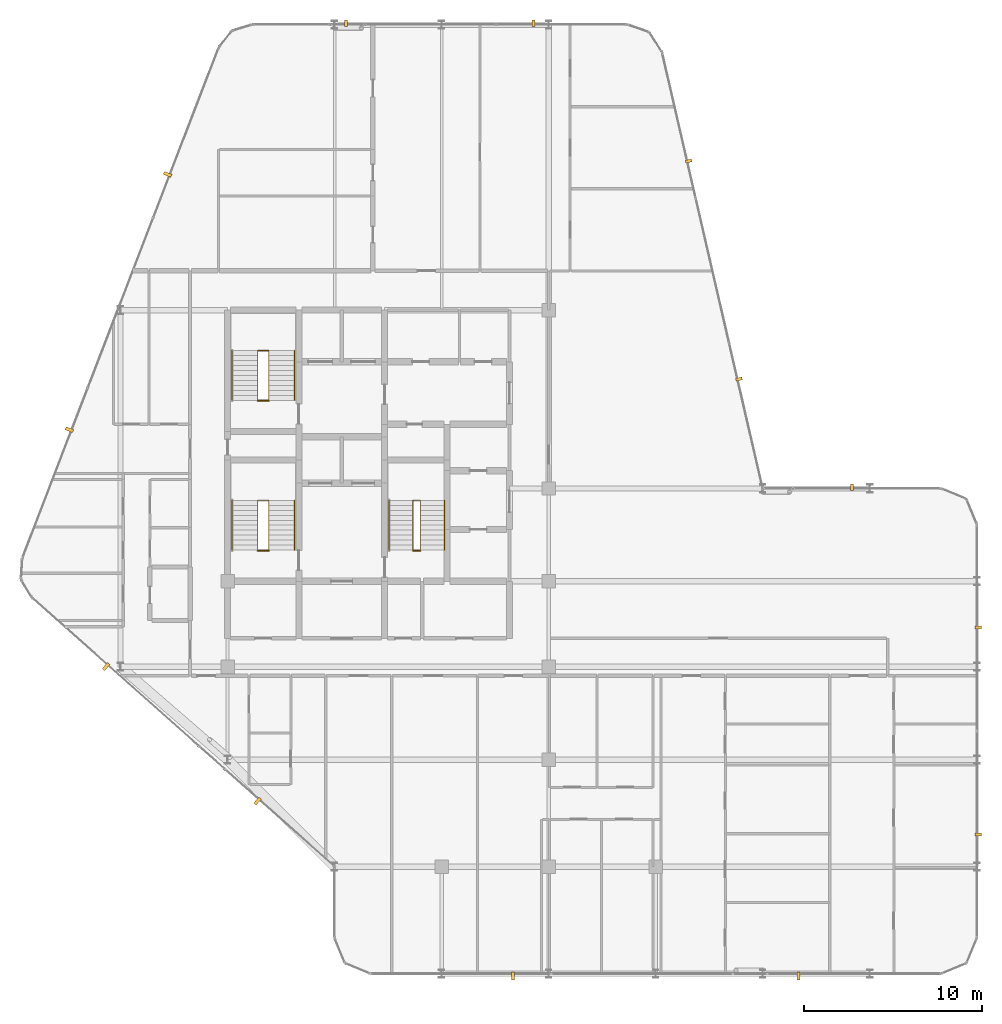
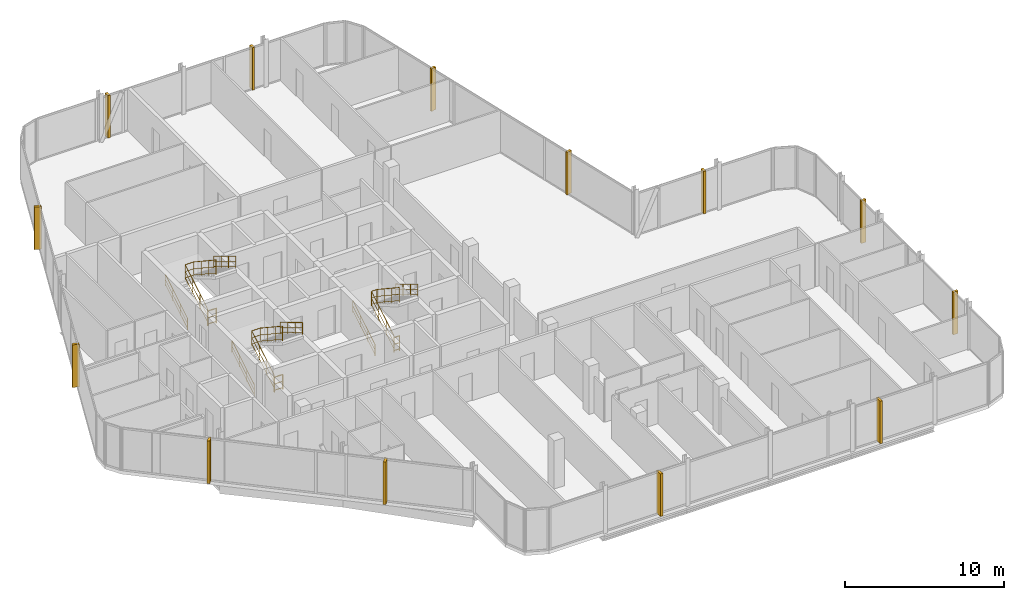
# One storey, part 28 of 28: 13 coverings, 12 railings.
"""IFC4 building model written with IfcOpenShell, lengths in metres."""

from ifc_helpers import new_model, si_unit, direction, frame, origin, origin_2d, place, context, subcontext, project, spatial, rectangle, circle, extrude, material, layer, layer_set, type_object, element, save


model = new_model("IFC4")

# Units and contexts
model_context = context("Model", 3, precision=1e-05, world=origin(), true_north=direction((0.0, 1.0)))
body_context = subcontext(model_context, "Body", "Model", "MODEL_VIEW")
ifc_project = project(units=[si_unit("LENGTHUNIT", "METRE"), si_unit("AREAUNIT", "SQUARE_METRE"), si_unit("VOLUMEUNIT", "CUBIC_METRE"), si_unit("PLANEANGLEUNIT", "RADIAN"), si_unit("MASSUNIT", "GRAM", prefix="KILO")], contexts=[model_context])

# Site, building, storey
site_placement = place(None, origin())
site = spatial("IfcSite", under=ifc_project, at=site_placement, CompositionType="ELEMENT")
building_placement = place(site_placement, origin())
building = spatial("IfcBuilding", under=site, at=building_placement, Name="Keshet Zoharim Tower", CompositionType="ELEMENT")
storey_placement = place(building_placement, frame((0.0, 0.0, 233.89990234375)))
storey = spatial("IfcBuildingStorey", under=building, at=storey_placement, Name="L58", CompositionType="ELEMENT", Elevation=233.89990234375)

# Coverings
ifc_material_1 = material(Name="Concrete C50/60 precast", Category="concrete")
covering_type_1 = type_object("IfcCoveringType", Name="FIN-SOL-360", PredefinedType="CLADDING", material=ifc_material_1)
for number, where, z_axis, x_axis, name in (
    (1, (57.080078125, 20.10009765625, 0.0), (0.0, 0.0, 1.0), (0.0, -1.0, 0.0), "L58 Vertical Precast Solar Fin 01"),
    (2, (57.080078125, 8.5, 0.0), (0.0, 0.0, 1.0), (0.0, -1.0, 0.0), "L58 Vertical Precast Solar Fin 02"),
    (3, (21.633056640625, 53.97998046875, 0.0), (0.0, 0.0, 1.0), (1.0, 0.0, 0.0), "L58 Vertical Precast Solar Fin 09"),
    (4, (32.14990234375, 53.97998046875, 0.0), (0.0, 0.0, 1.0), (1.0, 0.0, 0.0), "L58 Vertical Precast Solar Fin 10"),
    (5, (40.845947265625, 46.2548828125, 0.0), (0.0, 0.0, 1.0), (0.224847864369, -0.974393882313, 0.0), "L58 Vertical Precast Solar Fin 11"),
    (6, (43.6669921875, 34.030029296875, 0.0), (0.0, 0.0, 1.0), (0.224847864369, -0.974393882313, 0.0), "L58 Vertical Precast Solar Fin 12"),
    (7, (50.0, 27.97998046875, 0.0), (0.0, 0.0, 1.0), (1.0, 0.0, 0.0), "L58 Vertical Precast Solar Fin 13"),
):
    element("IfcCovering", number, at=place(storey_placement, frame(where, z_axis=z_axis, x_axis=x_axis)), inside=storey, type_object=covering_type_1, Name=name, PredefinedType="CLADDING", context=body_context, shape_type="SweptSolid", body=[
        extrude(rectangle(XDim=0.159912109375, YDim=0.360107421875, at=origin_2d()), origin(), (0.0, 0.0, 1.0), 3.280029296875),
    ])
covering_type_2 = type_object("IfcCoveringType", Name="FIN-SOL-450", PredefinedType="CLADDING", material=ifc_material_1)
for number, where, z_axis, x_axis, name in (
    (8, (47.0, 0.574951171875, 0.0), (0.0, 0.0, 1.0), (-1.0, 0.0, 0.0), "L58 Vertical Precast Solar Fin 03"),
    (9, (31.0, 0.574951171875, 0.0), (0.0, 0.0, 1.0), (-1.0, 0.0, 0.0), "L58 Vertical Precast Solar Fin 04"),
    (10, (16.676025390625, 10.376953125, 0.0), (0.0, 0.0, 1.0), (-0.747409318679, 0.664363838836, 0.0), "L58 Vertical Precast Solar Fin 05"),
    (11, (8.193115234375, 17.9169921875, 0.0), (0.0, 0.0, 1.0), (-0.747409318679, 0.664363838836, 0.0), "L58 Vertical Precast Solar Fin 06"),
    (12, (6.133056640625, 31.194091796875, 0.0), (0.0, 0.0, 1.0), (0.358990003907, 0.933341404361, 0.0), "L58 Vertical Precast Solar Fin 07"),
    (13, (11.637939453125, 45.507080078125, 0.0), (0.0, 0.0, 1.0), (0.358990003907, 0.933341404361, 0.0), "L58 Vertical Precast Solar Fin 08"),
):
    element("IfcCovering", number, at=place(storey_placement, frame(where, z_axis=z_axis, x_axis=x_axis)), inside=storey, type_object=covering_type_2, Name=name, PredefinedType="CLADDING", context=body_context, shape_type="SweptSolid", body=[
        extrude(rectangle(XDim=0.179931640625, YDim=0.449951171875, at=origin_2d()), origin(), (0.0, 0.0, 1.0), 3.280029296875),
    ])

# Railings
ifc_material_2 = material(Name="Steel S355", Category="steel")
ifc_layer_1 = layer(ifc_material_2, 0.050048828125)
ifc_layer_set_1 = layer_set([ifc_layer_1], Name="Steel S355")
railing_type_1 = type_object("IfcRailingType", Name="RL-HND-092", PredefinedType="HANDRAIL", material=ifc_layer_set_1)
railing_1_placement = place(storey_placement, frame((15.239990234375, 24.43994140625, 0.168212890625)))
element("IfcRailing", 14, at=railing_1_placement, inside=storey, type_object=railing_type_1, Name="L58 ST-01 Flight 1 Wall Handrail", PredefinedType="HANDRAIL", context=body_context, shape_type="SweptSolid", body=[
    extrude(circle(Radius=0.02392578125, at=origin_2d()), frame((0.0, 0.0, 0.89599609375), z_axis=(0.0, 0.857242210791, 0.514913383045), x_axis=(-1.0, 0.0, 0.0)), (0.0, 0.0, 1.0), 3.266357421875),
    extrude(circle(Radius=0.01611328125, at=origin_2d()), frame((0.0, 0.0, 0.478271484375), z_axis=(0.0, 0.857242210791, 0.514913383045), x_axis=(-1.0, 0.0, 0.0)), (0.0, 0.0, 1.0), 3.266357421875),
    extrude(circle(Radius=0.01611328125, at=origin_2d()), frame((0.0, 0.0, 0.1201171875), z_axis=(0.0, 0.857242210791, 0.514913383045), x_axis=(-1.0, 0.0, 0.0)), (0.0, 0.0, 1.0), 3.266357421875),
    extrude(circle(Radius=0.02099609375, at=origin_2d()), origin(), (0.0, 0.0, 1.0), 0.871826171875),
    extrude(circle(Radius=0.02099609375, at=origin_2d()), frame((0.0, 0.933349609375, 0.560546875)), (0.0, 0.0, 1.0), 0.871826171875),
    extrude(circle(Radius=0.02099609375, at=origin_2d()), frame((0.0, 1.86669921875, 1.121337890625)), (0.0, 0.0, 1.0), 0.871826171875),
    extrude(circle(Radius=0.02099609375, at=origin_2d()), frame((0.0, 2.800048828125, 1.681884765625)), (0.0, 0.0, 1.0), 0.871826171875),
])
railing_2_placement = place(storey_placement, frame((18.760009765625, 27.239990234375, 2.018310546875)))
element("IfcRailing", 15, at=railing_2_placement, inside=storey, type_object=railing_type_1, Name="L58 ST-01 Flight 2 Wall Handrail", PredefinedType="HANDRAIL", context=body_context, shape_type="SweptSolid", body=[
    extrude(circle(Radius=0.02392578125, at=origin_2d()), frame((0.0, 0.0, 0.89599609375), z_axis=(0.0, -0.857242210791, 0.514913383045), x_axis=(1.0, 0.0, 0.0)), (0.0, 0.0, 1.0), 3.266357421875),
    extrude(circle(Radius=0.01611328125, at=origin_2d()), frame((0.0, 0.0, 0.478271484375), z_axis=(0.0, -0.857242210791, 0.514913383045), x_axis=(1.0, 0.0, 0.0)), (0.0, 0.0, 1.0), 3.266357421875),
    extrude(circle(Radius=0.01611328125, at=origin_2d()), frame((0.0, 0.0, 0.1201171875), z_axis=(0.0, -0.857242210791, 0.514913383045), x_axis=(1.0, 0.0, 0.0)), (0.0, 0.0, 1.0), 3.266357421875),
    extrude(circle(Radius=0.02099609375, at=origin_2d()), origin(), (0.0, 0.0, 1.0), 0.871826171875),
    extrude(circle(Radius=0.02099609375, at=origin_2d()), frame((0.0, -0.933349609375, 0.560546875)), (0.0, 0.0, 1.0), 0.871826171875),
    extrude(circle(Radius=0.02099609375, at=origin_2d()), frame((0.0, -1.86669921875, 1.121337890625)), (0.0, 0.0, 1.0), 0.871826171875),
    extrude(circle(Radius=0.02099609375, at=origin_2d()), frame((0.0, -2.800048828125, 1.681884765625)), (0.0, 0.0, 1.0), 0.871826171875),
])
railing_3_placement = place(storey_placement, frame((15.239990234375, 32.840087890625, 0.168212890625)))
element("IfcRailing", 16, at=railing_3_placement, inside=storey, type_object=railing_type_1, Name="L58 ST-02 Flight 1 Wall Handrail", PredefinedType="HANDRAIL", context=body_context, shape_type="SweptSolid", body=[
    extrude(circle(Radius=0.02392578125, at=origin_2d()), frame((0.0, 0.0, 0.89599609375), z_axis=(0.0, 0.857222391501, 0.514946377315), x_axis=(-1.0, 0.0, 0.0)), (0.0, 0.0, 1.0), 3.26611328125),
    extrude(circle(Radius=0.01611328125, at=origin_2d()), frame((0.0, 0.0, 0.478271484375), z_axis=(0.0, 0.857222391501, 0.514946377315), x_axis=(-1.0, 0.0, 0.0)), (0.0, 0.0, 1.0), 3.26611328125),
    extrude(circle(Radius=0.01611328125, at=origin_2d()), frame((0.0, 0.0, 0.1201171875), z_axis=(0.0, 0.857222391501, 0.514946377315), x_axis=(-1.0, 0.0, 0.0)), (0.0, 0.0, 1.0), 3.26611328125),
    extrude(circle(Radius=0.02099609375, at=origin_2d()), origin(), (0.0, 0.0, 1.0), 0.871826171875),
    extrude(circle(Radius=0.02099609375, at=origin_2d()), frame((0.0, 0.933349609375, 0.560546875)), (0.0, 0.0, 1.0), 0.871826171875),
    extrude(circle(Radius=0.02099609375, at=origin_2d()), frame((0.0, 1.866455078125, 1.121337890625)), (0.0, 0.0, 1.0), 0.871826171875),
    extrude(circle(Radius=0.02099609375, at=origin_2d()), frame((0.0, 2.7998046875, 1.681884765625)), (0.0, 0.0, 1.0), 0.871826171875),
])
railing_4_placement = place(storey_placement, frame((18.760009765625, 35.639892578125, 2.018310546875)))
element("IfcRailing", 17, at=railing_4_placement, inside=storey, type_object=railing_type_1, Name="L58 ST-02 Flight 2 Wall Handrail", PredefinedType="HANDRAIL", context=body_context, shape_type="SweptSolid", body=[
    extrude(circle(Radius=0.02392578125, at=origin_2d()), frame((0.0, 0.0, 0.89599609375), z_axis=(0.0, -0.857222391501, 0.514946377315), x_axis=(1.0, 0.0, 0.0)), (0.0, 0.0, 1.0), 3.26611328125),
    extrude(circle(Radius=0.01611328125, at=origin_2d()), frame((0.0, 0.0, 0.478271484375), z_axis=(0.0, -0.857222391501, 0.514946377315), x_axis=(1.0, 0.0, 0.0)), (0.0, 0.0, 1.0), 3.26611328125),
    extrude(circle(Radius=0.01611328125, at=origin_2d()), frame((0.0, 0.0, 0.1201171875), z_axis=(0.0, -0.857222391501, 0.514946377315), x_axis=(1.0, 0.0, 0.0)), (0.0, 0.0, 1.0), 3.26611328125),
    extrude(circle(Radius=0.02099609375, at=origin_2d()), origin(), (0.0, 0.0, 1.0), 0.871826171875),
    extrude(circle(Radius=0.02099609375, at=origin_2d()), frame((0.0, -0.933349609375, 0.560546875)), (0.0, 0.0, 1.0), 0.871826171875),
    extrude(circle(Radius=0.02099609375, at=origin_2d()), frame((0.0, -1.866455078125, 1.121337890625)), (0.0, 0.0, 1.0), 0.871826171875),
    extrude(circle(Radius=0.02099609375, at=origin_2d()), frame((0.0, -2.7998046875, 1.681884765625)), (0.0, 0.0, 1.0), 0.871826171875),
])
railing_5_placement = place(storey_placement, frame((24.0400390625, 24.43994140625, 0.168212890625)))
element("IfcRailing", 18, at=railing_5_placement, inside=storey, type_object=railing_type_1, Name="L58 ST-03 Flight 1 Wall Handrail", PredefinedType="HANDRAIL", context=body_context, shape_type="SweptSolid", body=[
    extrude(circle(Radius=0.02392578125, at=origin_2d()), frame((0.0, 0.0, 0.89599609375), z_axis=(0.0, 0.857242210791, 0.514913383045), x_axis=(-1.0, 0.0, 0.0)), (0.0, 0.0, 1.0), 3.266357421875),
    extrude(circle(Radius=0.01611328125, at=origin_2d()), frame((0.0, 0.0, 0.478271484375), z_axis=(0.0, 0.857242210791, 0.514913383045), x_axis=(-1.0, 0.0, 0.0)), (0.0, 0.0, 1.0), 3.266357421875),
    extrude(circle(Radius=0.01611328125, at=origin_2d()), frame((0.0, 0.0, 0.1201171875), z_axis=(0.0, 0.857242210791, 0.514913383045), x_axis=(-1.0, 0.0, 0.0)), (0.0, 0.0, 1.0), 3.266357421875),
    extrude(circle(Radius=0.02099609375, at=origin_2d()), origin(), (0.0, 0.0, 1.0), 0.871826171875),
    extrude(circle(Radius=0.02099609375, at=origin_2d()), frame((0.0, 0.933349609375, 0.560546875)), (0.0, 0.0, 1.0), 0.871826171875),
    extrude(circle(Radius=0.02099609375, at=origin_2d()), frame((0.0, 1.86669921875, 1.121337890625)), (0.0, 0.0, 1.0), 0.871826171875),
    extrude(circle(Radius=0.02099609375, at=origin_2d()), frame((0.0, 2.800048828125, 1.681884765625)), (0.0, 0.0, 1.0), 0.871826171875),
])
railing_6_placement = place(storey_placement, frame((27.159912109375, 27.239990234375, 2.018310546875)))
element("IfcRailing", 19, at=railing_6_placement, inside=storey, type_object=railing_type_1, Name="L58 ST-03 Flight 2 Wall Handrail", PredefinedType="HANDRAIL", context=body_context, shape_type="SweptSolid", body=[
    extrude(circle(Radius=0.02392578125, at=origin_2d()), frame((0.0, 0.0, 0.89599609375), z_axis=(0.0, -0.857242210791, 0.514913383045), x_axis=(1.0, 0.0, 0.0)), (0.0, 0.0, 1.0), 3.266357421875),
    extrude(circle(Radius=0.01611328125, at=origin_2d()), frame((0.0, 0.0, 0.478271484375), z_axis=(0.0, -0.857242210791, 0.514913383045), x_axis=(1.0, 0.0, 0.0)), (0.0, 0.0, 1.0), 3.266357421875),
    extrude(circle(Radius=0.01611328125, at=origin_2d()), frame((0.0, 0.0, 0.1201171875), z_axis=(0.0, -0.857242210791, 0.514913383045), x_axis=(1.0, 0.0, 0.0)), (0.0, 0.0, 1.0), 3.266357421875),
    extrude(circle(Radius=0.02099609375, at=origin_2d()), origin(), (0.0, 0.0, 1.0), 0.871826171875),
    extrude(circle(Radius=0.02099609375, at=origin_2d()), frame((0.0, -0.933349609375, 0.560546875)), (0.0, 0.0, 1.0), 0.871826171875),
    extrude(circle(Radius=0.02099609375, at=origin_2d()), frame((0.0, -1.86669921875, 1.121337890625)), (0.0, 0.0, 1.0), 0.871826171875),
    extrude(circle(Radius=0.02099609375, at=origin_2d()), frame((0.0, -2.800048828125, 1.681884765625)), (0.0, 0.0, 1.0), 0.871826171875),
])
ifc_layer_2 = layer(ifc_material_2, 0.06005859375)
ifc_layer_set_2 = layer_set([ifc_layer_2], Name="Steel S355")
railing_type_2 = type_object("IfcRailingType", Name="RL-STG-115", PredefinedType="GUARDRAIL", material=ifc_layer_set_2)
railing_7_placement = place(storey_placement, frame((16.68994140625, 24.43994140625, 0.168212890625)))
element("IfcRailing", 20, at=railing_7_placement, inside=storey, type_object=railing_type_2, Name="L58 ST-01 Inner Well Guardrail", PredefinedType="GUARDRAIL", context=body_context, shape_type="SweptSolid", body=[
    extrude(circle(Radius=0.02392578125, at=origin_2d()), frame((0.0, 0.0, 1.1259765625), z_axis=(0.0, 0.857242210791, 0.514913383045), x_axis=(-1.0, 0.0, 0.0)), (0.0, 0.0, 1.0), 3.266357421875),
    extrude(circle(Radius=0.01611328125, at=origin_2d()), frame((0.0, 0.0, 0.597900390625), z_axis=(0.0, 0.857242210791, 0.514913383045), x_axis=(-1.0, 0.0, 0.0)), (0.0, 0.0, 1.0), 3.266357421875),
    extrude(circle(Radius=0.01611328125, at=origin_2d()), frame((0.0, 0.0, 0.1201171875), z_axis=(0.0, 0.857242210791, 0.514913383045), x_axis=(-1.0, 0.0, 0.0)), (0.0, 0.0, 1.0), 3.266357421875),
    extrude(circle(Radius=0.02392578125, at=origin_2d()), frame((0.0, 2.800048828125, 2.8076171875), z_axis=(1.0, 0.0, 0.0), x_axis=(0.0, 1.0, 0.0)), (0.0, 0.0, 1.0), 0.6201171875),
    extrude(circle(Radius=0.01611328125, at=origin_2d()), frame((0.0, 2.800048828125, 2.27978515625), z_axis=(1.0, 0.0, 0.0), x_axis=(0.0, 1.0, 0.0)), (0.0, 0.0, 1.0), 0.6201171875),
    extrude(circle(Radius=0.01611328125, at=origin_2d()), frame((0.0, 2.800048828125, 1.802001953125), z_axis=(1.0, 0.0, 0.0), x_axis=(0.0, 1.0, 0.0)), (0.0, 0.0, 1.0), 0.6201171875),
    extrude(circle(Radius=0.02392578125, at=origin_2d()), frame((0.6201171875, 2.800048828125, 2.8076171875), z_axis=(0.0, -0.834326358476, 0.551270829586), x_axis=(1.0, 0.0, 0.0)), (0.0, 0.0, 1.0), 3.35595703125),
    extrude(circle(Radius=0.01611328125, at=origin_2d()), frame((0.6201171875, 2.800048828125, 2.27978515625), z_axis=(0.0, -0.834326358476, 0.551270829586), x_axis=(1.0, 0.0, 0.0)), (0.0, 0.0, 1.0), 3.35595703125),
    extrude(circle(Radius=0.01611328125, at=origin_2d()), frame((0.6201171875, 2.800048828125, 1.802001953125), z_axis=(0.0, -0.834326358476, 0.551270829586), x_axis=(1.0, 0.0, 0.0)), (0.0, 0.0, 1.0), 3.35595703125),
    extrude(circle(Radius=0.02099609375, at=origin_2d()), origin(), (0.0, 0.0, 1.0), 1.101806640625),
    extrude(circle(Radius=0.02099609375, at=origin_2d()), frame((0.0, 0.933349609375, 0.560546875)), (0.0, 0.0, 1.0), 1.101806640625),
    extrude(circle(Radius=0.02099609375, at=origin_2d()), frame((0.0, 1.86669921875, 1.121337890625)), (0.0, 0.0, 1.0), 1.101806640625),
    extrude(circle(Radius=0.02099609375, at=origin_2d()), frame((0.0, 2.800048828125, 1.681884765625)), (0.0, 0.0, 1.0), 1.101806640625),
    extrude(circle(Radius=0.02099609375, at=origin_2d()), frame((0.6201171875, 2.800048828125, 1.681884765625)), (0.0, 0.0, 1.0), 1.101806640625),
    extrude(circle(Radius=0.02099609375, at=origin_2d()), frame((0.6201171875, 1.86669921875, 2.298583984375)), (0.0, 0.0, 1.0), 1.101806640625),
    extrude(circle(Radius=0.02099609375, at=origin_2d()), frame((0.6201171875, 0.933349609375, 2.915283203125)), (0.0, 0.0, 1.0), 1.101806640625),
    extrude(circle(Radius=0.02099609375, at=origin_2d()), frame((0.6201171875, 0.0, 3.531982421875)), (0.0, 0.0, 1.0), 1.101806640625),
])
railing_8_placement = place(storey_placement, frame((16.68994140625, 24.409912109375, 0.0)))
element("IfcRailing", 21, at=railing_8_placement, inside=storey, type_object=railing_type_2, Name="L58 ST-01 Stairwell Floor Guardrail", PredefinedType="GUARDRAIL", context=body_context, shape_type="SweptSolid", body=[
    extrude(circle(Radius=0.02392578125, at=origin_2d()), frame((0.0, 0.0, 1.1259765625), z_axis=(1.0, 0.0, 0.0), x_axis=(0.0, 1.0, 0.0)), (0.0, 0.0, 1.0), 0.6201171875),
    extrude(circle(Radius=0.01611328125, at=origin_2d()), frame((0.0, 0.0, 0.597900390625), z_axis=(1.0, 0.0, 0.0), x_axis=(0.0, 1.0, 0.0)), (0.0, 0.0, 1.0), 0.6201171875),
    extrude(circle(Radius=0.01611328125, at=origin_2d()), frame((0.0, 0.0, 0.1201171875), z_axis=(1.0, 0.0, 0.0), x_axis=(0.0, 1.0, 0.0)), (0.0, 0.0, 1.0), 0.6201171875),
    extrude(circle(Radius=0.02099609375, at=origin_2d()), origin(), (0.0, 0.0, 1.0), 1.101806640625),
    extrude(circle(Radius=0.02099609375, at=origin_2d()), frame((0.6201171875, 0.0, 0.0)), (0.0, 0.0, 1.0), 1.101806640625),
])
railing_9_placement = place(storey_placement, frame((16.68994140625, 32.840087890625, 0.168212890625)))
element("IfcRailing", 22, at=railing_9_placement, inside=storey, type_object=railing_type_2, Name="L58 ST-02 Inner Well Guardrail", PredefinedType="GUARDRAIL", context=body_context, shape_type="SweptSolid", body=[
    extrude(circle(Radius=0.02392578125, at=origin_2d()), frame((0.0, 0.0, 1.1259765625), z_axis=(0.0, 0.857222391501, 0.514946377315), x_axis=(-1.0, 0.0, 0.0)), (0.0, 0.0, 1.0), 3.26611328125),
    extrude(circle(Radius=0.01611328125, at=origin_2d()), frame((0.0, 0.0, 0.597900390625), z_axis=(0.0, 0.857222391501, 0.514946377315), x_axis=(-1.0, 0.0, 0.0)), (0.0, 0.0, 1.0), 3.26611328125),
    extrude(circle(Radius=0.01611328125, at=origin_2d()), frame((0.0, 0.0, 0.1201171875), z_axis=(0.0, 0.857222391501, 0.514946377315), x_axis=(-1.0, 0.0, 0.0)), (0.0, 0.0, 1.0), 3.26611328125),
    extrude(circle(Radius=0.02392578125, at=origin_2d()), frame((0.0, 2.7998046875, 2.8076171875), z_axis=(1.0, 0.0, 0.0), x_axis=(0.0, 1.0, 0.0)), (0.0, 0.0, 1.0), 0.6201171875),
    extrude(circle(Radius=0.01611328125, at=origin_2d()), frame((0.0, 2.7998046875, 2.27978515625), z_axis=(1.0, 0.0, 0.0), x_axis=(0.0, 1.0, 0.0)), (0.0, 0.0, 1.0), 0.6201171875),
    extrude(circle(Radius=0.01611328125, at=origin_2d()), frame((0.0, 2.7998046875, 1.802001953125), z_axis=(1.0, 0.0, 0.0), x_axis=(0.0, 1.0, 0.0)), (0.0, 0.0, 1.0), 0.6201171875),
    extrude(circle(Radius=0.02392578125, at=origin_2d()), frame((0.6201171875, 2.7998046875, 2.8076171875), z_axis=(0.0, -0.834304248922, 0.551304290053), x_axis=(1.0, 0.0, 0.0)), (0.0, 0.0, 1.0), 3.35595703125),
    extrude(circle(Radius=0.01611328125, at=origin_2d()), frame((0.6201171875, 2.7998046875, 2.27978515625), z_axis=(0.0, -0.834304248922, 0.551304290053), x_axis=(1.0, 0.0, 0.0)), (0.0, 0.0, 1.0), 3.35595703125),
    extrude(circle(Radius=0.01611328125, at=origin_2d()), frame((0.6201171875, 2.7998046875, 1.802001953125), z_axis=(0.0, -0.834304248922, 0.551304290053), x_axis=(1.0, 0.0, 0.0)), (0.0, 0.0, 1.0), 3.35595703125),
    extrude(circle(Radius=0.02099609375, at=origin_2d()), origin(), (0.0, 0.0, 1.0), 1.101806640625),
    extrude(circle(Radius=0.02099609375, at=origin_2d()), frame((0.0, 0.933349609375, 0.560546875)), (0.0, 0.0, 1.0), 1.101806640625),
    extrude(circle(Radius=0.02099609375, at=origin_2d()), frame((0.0, 1.866455078125, 1.121337890625)), (0.0, 0.0, 1.0), 1.101806640625),
    extrude(circle(Radius=0.02099609375, at=origin_2d()), frame((0.0, 2.7998046875, 1.681884765625)), (0.0, 0.0, 1.0), 1.101806640625),
    extrude(circle(Radius=0.02099609375, at=origin_2d()), frame((0.6201171875, 2.7998046875, 1.681884765625)), (0.0, 0.0, 1.0), 1.101806640625),
    extrude(circle(Radius=0.02099609375, at=origin_2d()), frame((0.6201171875, 1.866455078125, 2.298583984375)), (0.0, 0.0, 1.0), 1.101806640625),
    extrude(circle(Radius=0.02099609375, at=origin_2d()), frame((0.6201171875, 0.933349609375, 2.915283203125)), (0.0, 0.0, 1.0), 1.101806640625),
    extrude(circle(Radius=0.02099609375, at=origin_2d()), frame((0.6201171875, 0.0, 3.531982421875)), (0.0, 0.0, 1.0), 1.101806640625),
])
railing_10_placement = place(storey_placement, frame((16.68994140625, 32.81005859375, 0.0)))
element("IfcRailing", 23, at=railing_10_placement, inside=storey, type_object=railing_type_2, Name="L58 ST-02 Stairwell Floor Guardrail", PredefinedType="GUARDRAIL", context=body_context, shape_type="SweptSolid", body=[
    extrude(circle(Radius=0.02392578125, at=origin_2d()), frame((0.0, 0.0, 1.1259765625), z_axis=(1.0, 0.0, 0.0), x_axis=(0.0, 1.0, 0.0)), (0.0, 0.0, 1.0), 0.6201171875),
    extrude(circle(Radius=0.01611328125, at=origin_2d()), frame((0.0, 0.0, 0.597900390625), z_axis=(1.0, 0.0, 0.0), x_axis=(0.0, 1.0, 0.0)), (0.0, 0.0, 1.0), 0.6201171875),
    extrude(circle(Radius=0.01611328125, at=origin_2d()), frame((0.0, 0.0, 0.1201171875), z_axis=(1.0, 0.0, 0.0), x_axis=(0.0, 1.0, 0.0)), (0.0, 0.0, 1.0), 0.6201171875),
    extrude(circle(Radius=0.02099609375, at=origin_2d()), origin(), (0.0, 0.0, 1.0), 1.101806640625),
    extrude(circle(Radius=0.02099609375, at=origin_2d()), frame((0.6201171875, 0.0, 0.0)), (0.0, 0.0, 1.0), 1.101806640625),
])
railing_11_placement = place(storey_placement, frame((25.39990234375, 24.43994140625, 0.168212890625)))
element("IfcRailing", 24, at=railing_11_placement, inside=storey, type_object=railing_type_2, Name="L58 ST-03 Inner Well Guardrail", PredefinedType="GUARDRAIL", context=body_context, shape_type="SweptSolid", body=[
    extrude(circle(Radius=0.02392578125, at=origin_2d()), frame((0.0, 0.0, 1.1259765625), z_axis=(0.0, 0.857242210791, 0.514913383045), x_axis=(-1.0, 0.0, 0.0)), (0.0, 0.0, 1.0), 3.266357421875),
    extrude(circle(Radius=0.01611328125, at=origin_2d()), frame((0.0, 0.0, 0.597900390625), z_axis=(0.0, 0.857242210791, 0.514913383045), x_axis=(-1.0, 0.0, 0.0)), (0.0, 0.0, 1.0), 3.266357421875),
    extrude(circle(Radius=0.01611328125, at=origin_2d()), frame((0.0, 0.0, 0.1201171875), z_axis=(0.0, 0.857242210791, 0.514913383045), x_axis=(-1.0, 0.0, 0.0)), (0.0, 0.0, 1.0), 3.266357421875),
    extrude(circle(Radius=0.02392578125, at=origin_2d()), frame((0.0, 2.800048828125, 2.8076171875), z_axis=(1.0, 0.0, 0.0), x_axis=(0.0, 1.0, 0.0)), (0.0, 0.0, 1.0), 0.400146484375),
    extrude(circle(Radius=0.01611328125, at=origin_2d()), frame((0.0, 2.800048828125, 2.27978515625), z_axis=(1.0, 0.0, 0.0), x_axis=(0.0, 1.0, 0.0)), (0.0, 0.0, 1.0), 0.400146484375),
    extrude(circle(Radius=0.01611328125, at=origin_2d()), frame((0.0, 2.800048828125, 1.802001953125), z_axis=(1.0, 0.0, 0.0), x_axis=(0.0, 1.0, 0.0)), (0.0, 0.0, 1.0), 0.400146484375),
    extrude(circle(Radius=0.02392578125, at=origin_2d()), frame((0.400146484375, 2.800048828125, 2.8076171875), z_axis=(0.0, -0.834326358476, 0.551270829586), x_axis=(1.0, 0.0, 0.0)), (0.0, 0.0, 1.0), 3.35595703125),
    extrude(circle(Radius=0.01611328125, at=origin_2d()), frame((0.400146484375, 2.800048828125, 2.27978515625), z_axis=(0.0, -0.834326358476, 0.551270829586), x_axis=(1.0, 0.0, 0.0)), (0.0, 0.0, 1.0), 3.35595703125),
    extrude(circle(Radius=0.01611328125, at=origin_2d()), frame((0.400146484375, 2.800048828125, 1.802001953125), z_axis=(0.0, -0.834326358476, 0.551270829586), x_axis=(1.0, 0.0, 0.0)), (0.0, 0.0, 1.0), 3.35595703125),
    extrude(circle(Radius=0.02099609375, at=origin_2d()), origin(), (0.0, 0.0, 1.0), 1.101806640625),
    extrude(circle(Radius=0.02099609375, at=origin_2d()), frame((0.0, 0.933349609375, 0.560546875)), (0.0, 0.0, 1.0), 1.101806640625),
    extrude(circle(Radius=0.02099609375, at=origin_2d()), frame((0.0, 1.86669921875, 1.121337890625)), (0.0, 0.0, 1.0), 1.101806640625),
    extrude(circle(Radius=0.02099609375, at=origin_2d()), frame((0.0, 2.800048828125, 1.681884765625)), (0.0, 0.0, 1.0), 1.101806640625),
    extrude(circle(Radius=0.02099609375, at=origin_2d()), frame((0.400146484375, 2.800048828125, 1.681884765625)), (0.0, 0.0, 1.0), 1.101806640625),
    extrude(circle(Radius=0.02099609375, at=origin_2d()), frame((0.400146484375, 1.86669921875, 2.298583984375)), (0.0, 0.0, 1.0), 1.101806640625),
    extrude(circle(Radius=0.02099609375, at=origin_2d()), frame((0.400146484375, 0.933349609375, 2.915283203125)), (0.0, 0.0, 1.0), 1.101806640625),
    extrude(circle(Radius=0.02099609375, at=origin_2d()), frame((0.400146484375, 0.0, 3.531982421875)), (0.0, 0.0, 1.0), 1.101806640625),
])
railing_12_placement = place(storey_placement, frame((25.39990234375, 24.409912109375, 0.0)))
element("IfcRailing", 25, at=railing_12_placement, inside=storey, type_object=railing_type_2, Name="L58 ST-03 Stairwell Floor Guardrail", PredefinedType="GUARDRAIL", context=body_context, shape_type="SweptSolid", body=[
    extrude(circle(Radius=0.02392578125, at=origin_2d()), frame((0.0, 0.0, 1.1259765625), z_axis=(1.0, 0.0, 0.0), x_axis=(0.0, 1.0, 0.0)), (0.0, 0.0, 1.0), 0.400146484375),
    extrude(circle(Radius=0.01611328125, at=origin_2d()), frame((0.0, 0.0, 0.597900390625), z_axis=(1.0, 0.0, 0.0), x_axis=(0.0, 1.0, 0.0)), (0.0, 0.0, 1.0), 0.400146484375),
    extrude(circle(Radius=0.01611328125, at=origin_2d()), frame((0.0, 0.0, 0.1201171875), z_axis=(1.0, 0.0, 0.0), x_axis=(0.0, 1.0, 0.0)), (0.0, 0.0, 1.0), 0.400146484375),
    extrude(circle(Radius=0.02099609375, at=origin_2d()), origin(), (0.0, 0.0, 1.0), 1.101806640625),
    extrude(circle(Radius=0.02099609375, at=origin_2d()), frame((0.400146484375, 0.0, 0.0)), (0.0, 0.0, 1.0), 1.101806640625),
])

save(model, "model.ifc")
